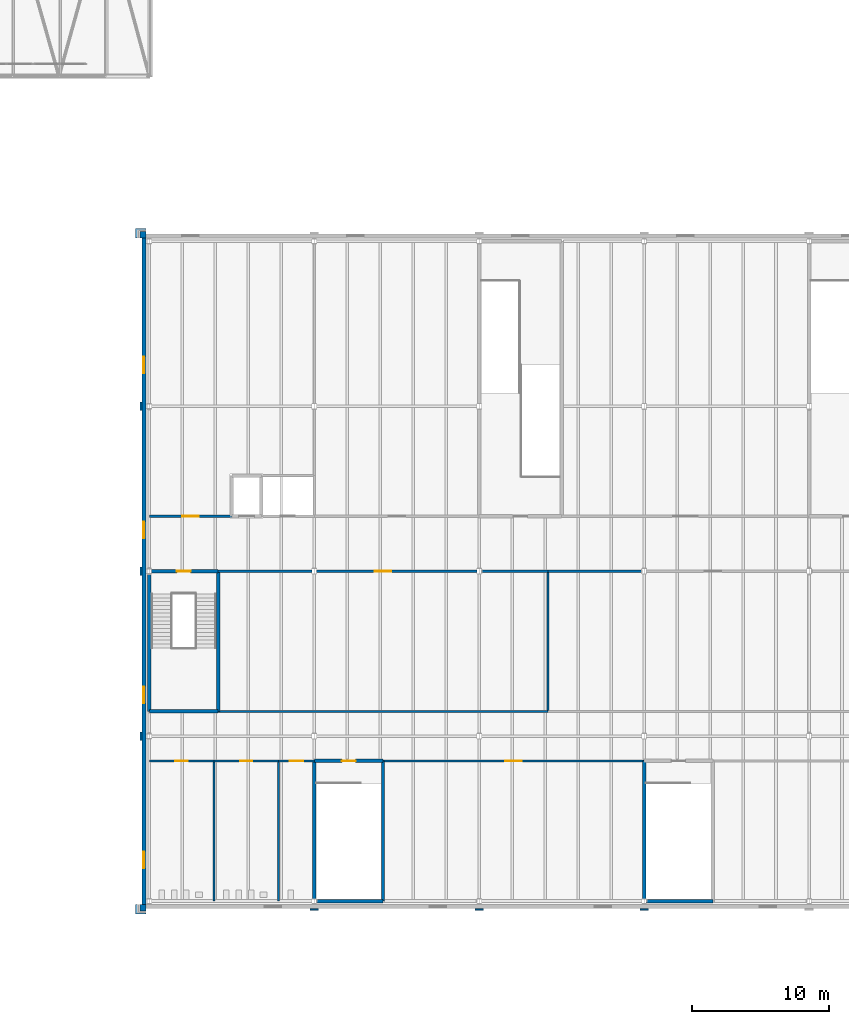
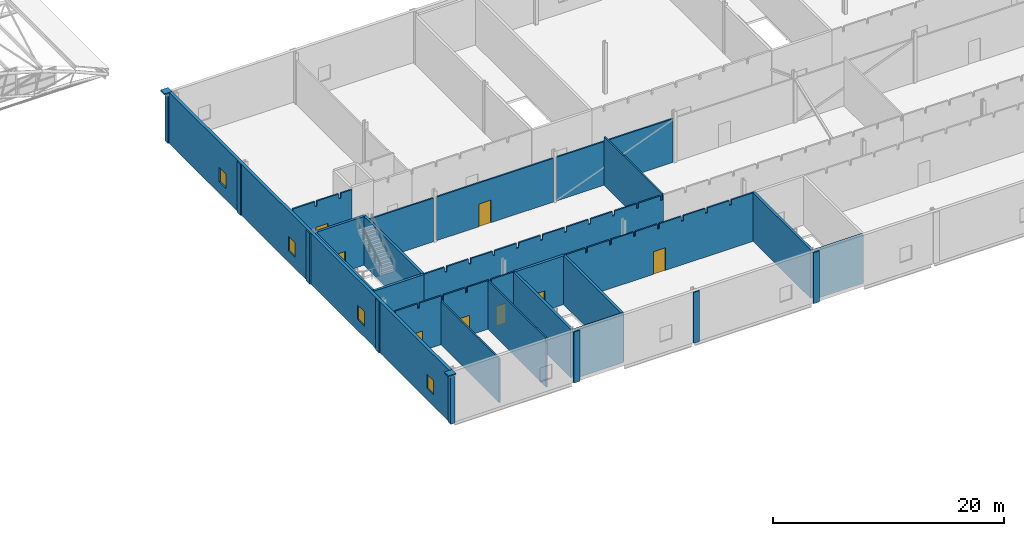
# One storey, part 256 of 321: 34 walls, 8 doors, 4 windows, 12 openings.
"""IFC4 building model written with IfcOpenShell, lengths in metres."""

import ifcopenshell
import ifcopenshell.guid

model = None  # the IFC model being written
_history = None  # IfcOwnerHistory: only IFC2X3 demands one
_inside = {}  # id of a spatial element -> (the spatial element, [elements in it])
_under = {}  # id of a project, library or spatial element -> (it, [spatial elements below it])
_declared = {}  # id of a project -> (the project, [libraries it declares])
_typed = {}  # id of a type object -> (the type object, [elements of that type])
_made_of = {}  # id of a material, layer set ... -> (it, [elements and type objects made of it])


def new_model(schema):
    """Start an empty IFC model of exactly this schema.

    Asked for "IFC4X3", IfcOpenShell would pick the latest addendum, in which some entities
    have other attributes; the version numbers below select the first issue.
    IFC2X3 requires an IfcOwnerHistory on every rooted entity: one is made here for all.
    """
    global model, _history
    if schema == "IFC4X3":
        model = ifcopenshell.file(schema_version=(4, 3, 0, 0))
    else:
        model = ifcopenshell.file(schema=schema)
    _inside.clear()
    _under.clear()
    _declared.clear()
    _typed.clear()
    _made_of.clear()
    _history = None
    if model.schema == "IFC2X3":
        org = make("IfcOrganization", Name="unknown")
        user = make(
            "IfcPersonAndOrganization",
            ThePerson=make("IfcPerson", FamilyName="unknown"),
            TheOrganization=org,
        )
        app = make(
            "IfcApplication",
            ApplicationDeveloper=org,
            Version="unknown",
            ApplicationFullName="unknown",
            ApplicationIdentifier="unknown",
        )
        _history = make(
            "IfcOwnerHistory",
            OwningUser=user,
            OwningApplication=app,
            ChangeAction="ADDED",
            CreationDate=0,
        )
    return model


def make(cls, **values):
    """One entity of the class cls with the attributes given. An attribute that is None is left unset."""
    return model.create_entity(
        cls, **{name: value for name, value in values.items() if value is not None}
    )


def rooted(cls, **values):
    """An entity with a GlobalId (a new one), such as an element, a storey or a relation."""
    return make(cls, GlobalId=ifcopenshell.guid.new(), OwnerHistory=_history, **values)


def si_unit(unit_type, name, prefix=None):
    """IfcSIUnit, for example si_unit("LENGTHUNIT", "METRE", prefix="MILLI")."""
    return make("IfcSIUnit", UnitType=unit_type, Prefix=prefix, Name=name)


def assignment(units):
    """IfcUnitAssignment: the units of a project."""
    return None if units is None else make("IfcUnitAssignment", Units=units)


def point(xyz):
    """IfcCartesianPoint."""
    return None if xyz is None else make("IfcCartesianPoint", Coordinates=xyz)


def direction(xyz):
    """IfcDirection."""
    return None if xyz is None else make("IfcDirection", DirectionRatios=xyz)


def frame(location, z_axis=None, x_axis=None):
    """IfcAxis2Placement3D, a coordinate frame: its origin and axes. An axis left out is left unset."""
    return make(
        "IfcAxis2Placement3D",
        Location=point(location),
        Axis=direction(z_axis),
        RefDirection=direction(x_axis),
    )


def frame_2d(location, x_axis=None):
    """IfcAxis2Placement2D, a coordinate frame in the plane: its origin and x axis."""
    return make(
        "IfcAxis2Placement2D", Location=point(location), RefDirection=direction(x_axis)
    )


def origin():
    """The frame at (0, 0, 0) with its axes left unset."""
    return frame((0.0, 0.0, 0.0))


def place(relative_to, where):
    """IfcLocalPlacement: puts the frame where relative to a parent placement (None: the world)."""
    return make(
        "IfcLocalPlacement", PlacementRelTo=relative_to, RelativePlacement=where
    )


def context(
    kind, dimensions, precision=None, world=None, true_north=None, identifier=None
):
    """IfcGeometricRepresentationContext, for example the 3D "Model" context."""
    return make(
        "IfcGeometricRepresentationContext",
        ContextIdentifier=identifier,
        ContextType=kind,
        CoordinateSpaceDimension=dimensions,
        Precision=precision,
        WorldCoordinateSystem=world,
        TrueNorth=true_north,
    )


def subcontext(parent, identifier, kind, view, scale=None):
    """IfcGeometricRepresentationSubContext, for example "Body" below "Model"."""
    return make(
        "IfcGeometricRepresentationSubContext",
        ContextIdentifier=identifier,
        ContextType=kind,
        ParentContext=parent,
        TargetScale=scale,
        TargetView=view,
    )


def project(units=None, contexts=None):
    """IfcProject with its units and contexts."""
    return rooted(
        "IfcProject",
        Name="project",
        RepresentationContexts=contexts,
        UnitsInContext=assignment(units),
    )


def spatial(cls, under=None, at=None, **own):
    """A site, building, storey or space (cls), placed at a placement, below another one or the project."""
    s = rooted(cls, ObjectPlacement=at, **own)
    if under is not None:
        _under.setdefault(under.id(), (under, []))[1].append(s)
    return s


def polyline(points):
    """IfcPolyline through the points."""
    return make("IfcPolyline", Points=[point(p) for p in points])


def profile(cls, at=None, kind="AREA", **sizes):
    """A parametric profile (cls). Its sizes go by their IFC names, for example OverallWidth=200.0."""
    return make(cls, ProfileType=kind, Position=at, **sizes)


def rectangle(**sizes):
    """IfcRectangleProfileDef."""
    return profile("IfcRectangleProfileDef", **sizes)


def outline(outer, holes=None, kind="AREA"):
    """IfcArbitraryClosedProfileDef: a profile drawn as a closed curve; with holes, ...WithVoids."""
    if holes is None:
        return make("IfcArbitraryClosedProfileDef", ProfileType=kind, OuterCurve=outer)
    return make(
        "IfcArbitraryProfileDefWithVoids",
        ProfileType=kind,
        OuterCurve=outer,
        InnerCurves=holes,
    )


def extrude(swept, where, along, depth):
    """IfcExtrudedAreaSolid: the profile swept, set in the frame where, extruded along a direction by depth."""
    return make(
        "IfcExtrudedAreaSolid",
        SweptArea=swept,
        Position=where,
        ExtrudedDirection=direction(along),
        Depth=depth,
    )


def shape(context_of_items, identifier, shape_type, items):
    """IfcShapeRepresentation: the items that make up one representation, for example the "Body"."""
    return make(
        "IfcShapeRepresentation",
        ContextOfItems=context_of_items,
        RepresentationIdentifier=identifier,
        RepresentationType=shape_type,
        Items=items,
    )


def material(Name=None, Category=None):
    """IfcMaterial."""
    return make("IfcMaterial", Name=Name, Category=Category)


def layer(
    of_material, thickness, ventilated=None, Name=None, Category=None, Priority=None
):
    """IfcMaterialLayer: one layer of a wall or slab, of a material (None: an air gap)."""
    return make(
        "IfcMaterialLayer",
        Material=of_material,
        LayerThickness=thickness,
        IsVentilated=ventilated,
        Name=Name,
        Category=Category,
        Priority=Priority,
    )


def layer_set(layers, Name=None):
    """IfcMaterialLayerSet."""
    return make("IfcMaterialLayerSet", MaterialLayers=layers, LayerSetName=Name)


def made_of(thing, what):
    """Note that an element or type object is made of a material, layer set ...; save() writes the relation."""
    if what is not None:
        _made_of.setdefault(what.id(), (what, []))[1].append(thing)
    return thing


def type_object(cls, material=None, **own):
    """A type object (cls), such as IfcWallType, which elements share."""
    return made_of(rooted(cls, **own), material)


def element(
    cls,
    number,
    at=None,
    inside=None,
    cuts=None,
    type_object=None,
    material=None,
    context=None,
    identifier="Body",
    shape_type=None,
    held_by="IfcProductDefinitionShape",
    body=None,
    shapes=None,
    **own,
):
    """One element of the class cls, such as IfcWall. Its Tag is "e" and its number.

    at: its placement. inside: the storey or other place that contains it. cuts: it is an
    opening in that element (IfcRelVoidsElement). A single representation is given by context,
    identifier, shape_type and body (its items); several are given by shapes. held_by: the class
    of the entity that holds the representations. save() writes the other relations.
    """
    e = rooted(cls, Tag="e%d" % number, ObjectPlacement=at, **own)
    if body is not None:
        shapes = [shape(context, identifier, shape_type, body)]
    if shapes is not None:
        e.Representation = make(held_by, Representations=shapes)
    if inside is not None:
        _inside.setdefault(inside.id(), (inside, []))[1].append(e)
    if cuts is not None:
        rooted(
            "IfcRelVoidsElement", RelatingBuildingElement=cuts, RelatedOpeningElement=e
        )
    if type_object is not None:
        _typed.setdefault(type_object.id(), (type_object, []))[1].append(e)
    return made_of(e, material)


def fill(opening, filler):
    """IfcRelFillsElement: the door or window that sits in an opening."""
    return rooted(
        "IfcRelFillsElement",
        RelatingOpeningElement=opening,
        RelatedBuildingElement=filler,
    )


def aggregate(whole, parts):
    """IfcRelAggregates: a whole, such as a stair, and the parts it consists of."""
    return rooted("IfcRelAggregates", RelatingObject=whole, RelatedObjects=parts)


def save(model, path):
    """Write the relations noted so far, then the file.

    IfcRelAggregates (storeys below a building ...), IfcRelContainedInSpatialStructure (elements
    in a storey), IfcRelDefinesByType, IfcRelAssociatesMaterial and IfcRelDeclares: one each for
    every whole, place, type object, material and project.
    """
    for whole, parts in _under.values():
        aggregate(whole, parts)
    for where, things in _inside.values():
        rooted(
            "IfcRelContainedInSpatialStructure",
            RelatedElements=things,
            RelatingStructure=where,
        )
    for kind, things in _typed.values():
        rooted("IfcRelDefinesByType", RelatedObjects=things, RelatingType=kind)
    for what, things in _made_of.values():
        rooted("IfcRelAssociatesMaterial", RelatedObjects=things, RelatingMaterial=what)
    for by, libraries in _declared.values():
        rooted("IfcRelDeclares", RelatingContext=by, RelatedDefinitions=libraries)
    model.write(path)


model = new_model("IFC4")

# Units and contexts
model_context = context("Model", 3, precision=1e-05, world=origin(), true_north=direction((0.0, 1.0)))
body_context = subcontext(model_context, "Body", "Model", "MODEL_VIEW")
ifc_project = project(units=[si_unit("LENGTHUNIT", "METRE"), si_unit("AREAUNIT", "SQUARE_METRE"), si_unit("VOLUMEUNIT", "CUBIC_METRE"), si_unit("PLANEANGLEUNIT", "RADIAN"), si_unit("MASSUNIT", "GRAM", prefix="KILO")], contexts=[model_context])

# Site, building, storey
site_placement = place(None, origin())
site = spatial("IfcSite", under=ifc_project, at=site_placement, CompositionType="ELEMENT")
building_placement = place(site_placement, origin())
building = spatial("IfcBuilding", under=site, at=building_placement, Name="Ravi Spectrum Wholesale Market", CompositionType="ELEMENT")
storey_placement = place(building_placement, frame((0.0, 0.0, 10.800048828125)))
storey = spatial("IfcBuildingStorey", under=building, at=storey_placement, Name="L02", CompositionType="ELEMENT", Elevation=10.800048828125)

# Wall, opening, door
ifc_material_1 = material(Name="Concrete blockwork", Category="masonry")
ifc_layer_1 = layer(ifc_material_1, 0.14990234375)
ifc_layer_set_1 = layer_set([ifc_layer_1], Name="Concrete blockwork")
wall_type_1 = type_object("IfcWallType", Name="Blockwork partition 150", PredefinedType="PARTITIONING", material=ifc_layer_set_1)
wall_1_placement = place(storey_placement, frame((198.0, 28.199951171875, 0.0), z_axis=(0.0, 0.0, 1.0), x_axis=(1.0, 0.0, 0.0)))
wall_1 = element("IfcWall", 1, at=wall_1_placement, inside=storey, type_object=wall_type_1, Name="CS-WL-L02-069", PredefinedType="PARTITIONING", context=body_context, shape_type="SweptSolid", body=[
    extrude(outline(polyline([(0.0, 0.0), (4.699951171875, 0.0), (4.699951171875, 5.14990234375), (2.5048828125, 5.14990234375), (2.5, 4.6298828125), (2.300048828125, 4.6298828125), (2.294921875, 5.14990234375), (0.10009765625, 5.14990234375), (0.094970703125, 4.679931640625), (0.0, 4.679931640625), (0.0, 0.0)])), frame((0.0, 0.074951171875, 0.0), z_axis=(0.0, -1.0, 0.0), x_axis=(1.0, 0.0, 0.0)), (0.0, 0.0, 1.0), 0.14990234375),
])
opening_1_placement = place(wall_1_placement, frame((1.89990234375, 0.0, 0.0)))
opening_1 = element("IfcOpeningElement", 2, at=opening_1_placement, cuts=wall_1, Name="Opening D529", PredefinedType="OPENING", context=body_context, shape_type="SweptSolid", body=[
    extrude(rectangle(XDim=0.89990234375, YDim=2.10009765625, at=frame_2d((0.449951171875, 1.050048828125))), frame((0.0, 0.0849609375, 0.0), z_axis=(0.0, -1.0, 0.0), x_axis=(1.0, 0.0, 0.0)), (0.0, 0.0, 1.0), 0.169921875),
])
ifc_material_2 = material(Name="Timber door", Category="wood")
door_type_1 = type_object("IfcDoorType", Name="Toilet door 900 x 2100", OperationType="SINGLE_SWING_LEFT", PredefinedType="DOOR", material=ifc_material_2)
door_1_placement = place(opening_1_placement, origin())
door_1 = element("IfcDoor", 3, at=door_1_placement, inside=storey, type_object=door_type_1, Name="Door D529", OperationType="SINGLE_SWING_LEFT", OverallHeight=2.10009765625, OverallWidth=0.89990234375, PredefinedType="DOOR", context=body_context, shape_type="SweptSolid", body=[
    extrude(rectangle(XDim=0.89990234375, YDim=2.10009765625, at=frame_2d((0.449951171875, 1.050048828125))), frame((0.0, 0.02490234375, 0.0), z_axis=(0.0, -1.0, 0.0), x_axis=(1.0, 0.0, 0.0)), (0.0, 0.0, 1.0), 0.050048828125),
])
fill(opening_1, door_1)

wall_2_placement = place(storey_placement, frame((202.699951171875, 28.199951171875, 0.0), z_axis=(0.0, 0.0, 1.0), x_axis=(1.0, 0.0, 0.0)))
wall_2 = element("IfcWall", 4, at=wall_2_placement, inside=storey, type_object=wall_type_1, Name="CS-WL-L02-070", PredefinedType="PARTITIONING", context=body_context, shape_type="SweptSolid", body=[
    extrude(outline(polyline([(0.0, 0.0), (4.699951171875, 0.0), (4.699951171875, 5.14990234375), (2.60498046875, 5.14990234375), (2.60009765625, 4.6298828125), (2.39990234375, 4.6298828125), (2.39501953125, 5.14990234375), (0.205078125, 5.14990234375), (0.199951171875, 4.6298828125), (0.0, 4.6298828125), (0.0, 0.0)])), frame((0.0, 0.074951171875, 0.0), z_axis=(0.0, -1.0, 0.0), x_axis=(1.0, 0.0, 0.0)), (0.0, 0.0, 1.0), 0.14990234375),
])
opening_2_placement = place(wall_2_placement, frame((1.89990234375, 0.0, 0.0)))
opening_2 = element("IfcOpeningElement", 5, at=opening_2_placement, cuts=wall_2, Name="Opening D530", PredefinedType="OPENING", context=body_context, shape_type="SweptSolid", body=[
    extrude(rectangle(XDim=0.89990234375, YDim=2.10009765625, at=frame_2d((0.449951171875, 1.050048828125))), frame((0.0, 0.0849609375, 0.0), z_axis=(0.0, -1.0, 0.0), x_axis=(1.0, 0.0, 0.0)), (0.0, 0.0, 1.0), 0.169921875),
])
door_2_placement = place(opening_2_placement, origin())
door_2 = element("IfcDoor", 6, at=door_2_placement, inside=storey, type_object=door_type_1, Name="Door D530", OperationType="SINGLE_SWING_RIGHT", OverallHeight=2.10009765625, OverallWidth=0.89990234375, PredefinedType="DOOR", context=body_context, shape_type="SweptSolid", body=[
    extrude(rectangle(XDim=0.89990234375, YDim=2.10009765625, at=frame_2d((0.449951171875, 1.050048828125))), frame((0.0, 0.02490234375, 0.0), z_axis=(0.0, -1.0, 0.0), x_axis=(1.0, 0.0, 0.0)), (0.0, 0.0, 1.0), 0.050048828125),
])
fill(opening_2, door_2)

wall_3_placement = place(storey_placement, frame((207.39990234375, 28.199951171875, 0.0), z_axis=(0.0, 0.0, 1.0), x_axis=(1.0, 0.0, 0.0)))
wall_3 = element("IfcWall", 7, at=wall_3_placement, inside=storey, type_object=wall_type_1, Name="CS-WL-L02-071", PredefinedType="PARTITIONING", context=body_context, shape_type="SweptSolid", body=[
    extrude(outline(polyline([(0.0, 0.0), (2.60009765625, 0.0), (2.60009765625, 5.14990234375), (0.304931640625, 5.14990234375), (0.300048828125, 4.6298828125), (0.10009765625, 4.6298828125), (0.094970703125, 5.14990234375), (0.0, 5.14990234375), (0.0, 0.0)])), frame((0.0, 0.074951171875, 0.0), z_axis=(0.0, -1.0, 0.0), x_axis=(1.0, 0.0, 0.0)), (0.0, 0.0, 1.0), 0.14990234375),
])
opening_3_placement = place(wall_3_placement, frame((0.800048828125, 0.0, 0.0)))
opening_3 = element("IfcOpeningElement", 8, at=opening_3_placement, cuts=wall_3, Name="Opening D531", PredefinedType="OPENING", context=body_context, shape_type="SweptSolid", body=[
    extrude(rectangle(XDim=1.0, YDim=2.10009765625, at=frame_2d((0.5, 1.050048828125))), frame((0.0, 0.0849609375, 0.0), z_axis=(0.0, -1.0, 0.0), x_axis=(1.0, 0.0, 0.0)), (0.0, 0.0, 1.0), 0.169921875),
])
ifc_material_3 = material(Name="Timber door", Category="wood")
door_type_2 = type_object("IfcDoorType", Name="Accessible toilet door 1000 x 2100", OperationType="SINGLE_SWING_LEFT", PredefinedType="DOOR", material=ifc_material_3)
door_3_placement = place(opening_3_placement, origin())
door_3 = element("IfcDoor", 9, at=door_3_placement, inside=storey, type_object=door_type_2, Name="Door D531", OperationType="SINGLE_SWING_RIGHT", OverallHeight=2.10009765625, OverallWidth=1.0, PredefinedType="DOOR", context=body_context, shape_type="SweptSolid", body=[
    extrude(rectangle(XDim=1.0, YDim=2.10009765625, at=frame_2d((0.5, 1.050048828125))), frame((0.0, 0.02490234375, 0.0), z_axis=(0.0, -1.0, 0.0), x_axis=(1.0, 0.0, 0.0)), (0.0, 0.0, 1.0), 0.050048828125),
])
fill(opening_3, door_3)

# Walls
wall_4_placement = place(storey_placement, frame((202.699951171875, 18.0, 0.0), z_axis=(0.0, 0.0, 1.0), x_axis=(0.0, 1.0, 0.0)))
element("IfcWall", 10, at=wall_4_placement, inside=storey, type_object=wall_type_1, Name="CS-WL-L02-096", PredefinedType="PARTITIONING", context=body_context, shape_type="SweptSolid", body=[
    extrude(rectangle(XDim=10.125, YDim=0.14990234375, at=frame_2d((5.0625, 0.0))), origin(), (0.0, 0.0, 1.0), 4.6298828125),
])
wall_5_placement = place(storey_placement, frame((207.39990234375, 18.0, 0.0), z_axis=(0.0, 0.0, 1.0), x_axis=(0.0, 1.0, 0.0)))
element("IfcWall", 11, at=wall_5_placement, inside=storey, type_object=wall_type_1, Name="CS-WL-L02-097", PredefinedType="PARTITIONING", context=body_context, shape_type="SweptSolid", body=[
    extrude(outline(polyline([(0.0, 0.0), (10.125, 0.0), (10.125, 5.14990234375), (0.10498046875, 5.14990234375), (0.10009765625, 4.6298828125), (0.0, 4.6298828125), (0.0, 0.0)])), frame((0.0, 0.074951171875, 0.0), z_axis=(0.0, -1.0, 0.0), x_axis=(1.0, 0.0, 0.0)), (0.0, 0.0, 1.0), 0.14990234375),
])
ifc_material_4 = material(Name="Clinker brickwork", Category="masonry")
ifc_layer_2 = layer(ifc_material_4, 0.695068359375)
ifc_layer_set_2 = layer_set([ifc_layer_2], Name="Clinker brickwork")
wall_type_2 = type_object("IfcWallType", Name="Brick corbel 695", PredefinedType="SOLIDWALL", material=ifc_layer_set_2)
for number, where, z_axis, x_axis, name in (
    (12, (197.75, 17.402587890625, 5.27001953125), (0.0, 0.0, 1.0), (-1.0, 0.0, 0.0), "CS-WL-L02-034"),
    (13, (197.75, 66.597412109375, 5.27001953125), (0.0, 0.0, 1.0), (-1.0, 0.0, 0.0), "CS-WL-L02-046"),
):
    element("IfcWall", number, at=place(storey_placement, frame(where, z_axis=z_axis, x_axis=x_axis)), inside=storey, type_object=wall_type_2, Name=name, PredefinedType="SOLIDWALL", context=body_context, shape_type="SweptSolid", body=[
        extrude(rectangle(XDim=0.760009765625, YDim=0.695068359375, at=frame_2d((0.3798828125, 0.0))), origin(), (0.0, 0.0, 1.0), 0.1298828125),
    ])

# Wall, openings, windows
ifc_material_5 = material(Name="Brick-faced insulated panel", Category="masonry")
ifc_layer_3 = layer(ifc_material_5, 0.300048828125)
ifc_layer_set_3 = layer_set([ifc_layer_3], Name="Brick-faced insulated panel")
wall_type_3 = type_object("IfcWallType", Name="Brick faced insulated panel 300", PredefinedType="SOLIDWALL", material=ifc_layer_set_3)
wall_6_placement = place(storey_placement, frame((197.60009765625, 66.25, 0.0), z_axis=(0.0, 0.0, 1.0), x_axis=(0.0, -1.0, 0.0)))
wall_6 = element("IfcWall", 14, at=wall_6_placement, inside=storey, type_object=wall_type_3, Name="CS-WL-L02-065", PredefinedType="SOLIDWALL", context=body_context, shape_type="SweptSolid", body=[
    extrude(rectangle(XDim=48.5, YDim=0.300048828125, at=frame_2d((24.25, 0.0))), origin(), (0.0, 0.0, 1.0), 5.39990234375),
])
opening_4_placement = place(wall_6_placement, frame((8.64990234375, 0.0, 1.199951171875)))
opening_4 = element("IfcOpeningElement", 15, at=opening_4_placement, cuts=wall_6, Name="Opening W2655", PredefinedType="OPENING", context=body_context, shape_type="SweptSolid", body=[
    extrude(rectangle(XDim=1.199951171875, YDim=1.5, at=frame_2d((0.60009765625, 0.75))), frame((0.0, 0.159912109375, 0.0), z_axis=(0.0, -1.0, 0.0), x_axis=(1.0, 0.0, 0.0)), (0.0, 0.0, 1.0), 0.320068359375),
])
opening_5_placement = place(wall_6_placement, frame((20.64990234375, 0.0, 1.199951171875)))
opening_5 = element("IfcOpeningElement", 16, at=opening_5_placement, cuts=wall_6, Name="Opening W2656", PredefinedType="OPENING", context=body_context, shape_type="SweptSolid", body=[
    extrude(rectangle(XDim=1.199951171875, YDim=1.5, at=frame_2d((0.60009765625, 0.75))), frame((0.0, 0.159912109375, 0.0), z_axis=(0.0, -1.0, 0.0), x_axis=(1.0, 0.0, 0.0)), (0.0, 0.0, 1.0), 0.320068359375),
])
opening_6_placement = place(wall_6_placement, frame((32.64990234375, 0.0, 1.199951171875)))
opening_6 = element("IfcOpeningElement", 17, at=opening_6_placement, cuts=wall_6, Name="Opening W2657", PredefinedType="OPENING", context=body_context, shape_type="SweptSolid", body=[
    extrude(rectangle(XDim=1.199951171875, YDim=1.5, at=frame_2d((0.60009765625, 0.75))), frame((0.0, 0.159912109375, 0.0), z_axis=(0.0, -1.0, 0.0), x_axis=(1.0, 0.0, 0.0)), (0.0, 0.0, 1.0), 0.320068359375),
])
opening_7_placement = place(wall_6_placement, frame((44.64990234375, 0.0, 1.199951171875)))
opening_7 = element("IfcOpeningElement", 18, at=opening_7_placement, cuts=wall_6, Name="Opening W2658", PredefinedType="OPENING", context=body_context, shape_type="SweptSolid", body=[
    extrude(rectangle(XDim=1.199951171875, YDim=1.5, at=frame_2d((0.60009765625, 0.75))), frame((0.0, 0.159912109375, 0.0), z_axis=(0.0, -1.0, 0.0), x_axis=(1.0, 0.0, 0.0)), (0.0, 0.0, 1.0), 0.320068359375),
])
ifc_material_6 = material(Name="Aluminium frame", Category="aluminium")
window_type = type_object("IfcWindowType", Name="Plant room louvred window 1200 x 1500", PartitioningType="SINGLE_PANEL", PredefinedType="WINDOW", material=ifc_material_6)
window_1_placement = place(opening_4_placement, origin())
window_1 = element("IfcWindow", 19, at=window_1_placement, inside=storey, type_object=window_type, Name="Window W2655", OverallHeight=1.5, OverallWidth=1.199951171875, PartitioningType="SINGLE_PANEL", PredefinedType="WINDOW", context=body_context, shape_type="SweptSolid", body=[
    extrude(rectangle(XDim=1.199951171875, YDim=1.5, at=frame_2d((0.60009765625, 0.75))), frame((0.0, 0.030029296875, 0.0), z_axis=(0.0, -1.0, 0.0), x_axis=(1.0, 0.0, 0.0)), (0.0, 0.0, 1.0), 0.06005859375),
])
fill(opening_4, window_1)
window_2_placement = place(opening_5_placement, origin())
window_2 = element("IfcWindow", 20, at=window_2_placement, inside=storey, type_object=window_type, Name="Window W2656", OverallHeight=1.5, OverallWidth=1.199951171875, PartitioningType="SINGLE_PANEL", PredefinedType="WINDOW", context=body_context, shape_type="SweptSolid", body=[
    extrude(rectangle(XDim=1.199951171875, YDim=1.5, at=frame_2d((0.60009765625, 0.75))), frame((0.0, 0.030029296875, 0.0), z_axis=(0.0, -1.0, 0.0), x_axis=(1.0, 0.0, 0.0)), (0.0, 0.0, 1.0), 0.06005859375),
])
fill(opening_5, window_2)
window_3_placement = place(opening_6_placement, origin())
window_3 = element("IfcWindow", 21, at=window_3_placement, inside=storey, type_object=window_type, Name="Window W2657", OverallHeight=1.5, OverallWidth=1.199951171875, PartitioningType="SINGLE_PANEL", PredefinedType="WINDOW", context=body_context, shape_type="SweptSolid", body=[
    extrude(rectangle(XDim=1.199951171875, YDim=1.5, at=frame_2d((0.60009765625, 0.75))), frame((0.0, 0.030029296875, 0.0), z_axis=(0.0, -1.0, 0.0), x_axis=(1.0, 0.0, 0.0)), (0.0, 0.0, 1.0), 0.06005859375),
])
fill(opening_6, window_3)
window_4_placement = place(opening_7_placement, origin())
window_4 = element("IfcWindow", 22, at=window_4_placement, inside=storey, type_object=window_type, Name="Window W2658", OverallHeight=1.5, OverallWidth=1.199951171875, PartitioningType="SINGLE_PANEL", PredefinedType="WINDOW", context=body_context, shape_type="SweptSolid", body=[
    extrude(rectangle(XDim=1.199951171875, YDim=1.5, at=frame_2d((0.60009765625, 0.75))), frame((0.0, 0.030029296875, 0.0), z_axis=(0.0, -1.0, 0.0), x_axis=(1.0, 0.0, 0.0)), (0.0, 0.0, 1.0), 0.06005859375),
])
fill(opening_7, window_4)

# Walls
ifc_material_7 = material(Name="Clinker brickwork", Category="masonry")
ifc_layer_4 = layer(ifc_material_7, 0.485107421875)
ifc_layer_set_4 = layer_set([ifc_layer_4], Name="Clinker brickwork")
wall_type_4 = type_object("IfcWallType", Name="Brick pier 485", PredefinedType="SOLIDWALL", material=ifc_layer_set_4)
for number, where, z_axis, x_axis, name in (
    (23, (197.75, 17.507568359375, 0.0), (0.0, 0.0, 1.0), (-1.0, 0.0, 0.0), "CS-WL-L02-031"),
    (24, (197.75, 66.492431640625, 0.0), (0.0, 0.0, 1.0), (-1.0, 0.0, 0.0), "CS-WL-L02-043"),
):
    element("IfcWall", number, at=place(storey_placement, frame(where, z_axis=z_axis, x_axis=x_axis)), inside=storey, type_object=wall_type_4, Name=name, PredefinedType="SOLIDWALL", context=body_context, shape_type="SweptSolid", body=[
        extrude(rectangle(XDim=0.4150390625, YDim=0.485107421875, at=frame_2d((0.20751953125, 0.0))), origin(), (0.0, 0.0, 1.0), 5.010009765625),
    ])
ifc_material_8 = material(Name="Facing brickwork", Category="masonry")
ifc_layer_5 = layer(ifc_material_8, 0.114990234375)
ifc_layer_set_5 = layer_set([ifc_layer_5], Name="Facing brickwork")
wall_type_5 = type_object("IfcWallType", Name="Brick pilaster 115", PredefinedType="SOLIDWALL", material=ifc_layer_set_5)
for number, where, z_axis, x_axis, name in (
    (25, (209.699951171875, 17.392578125, 0.0), (0.0, 0.0, 1.0), (1.0, 0.0, 0.0), "CS-WL-L02-048"),
    (26, (221.699951171875, 17.392578125, 0.0), (0.0, 0.0, 1.0), (1.0, 0.0, 0.0), "CS-WL-L02-049"),
    (27, (233.699951171875, 17.392578125, 0.0), (0.0, 0.0, 1.0), (1.0, 0.0, 0.0), "CS-WL-L02-050"),
    (28, (197.392578125, 54.300048828125, 0.0), (0.0, 0.0, 1.0), (0.0, -1.0, 0.0), "CS-WL-L02-066"),
    (29, (197.392578125, 42.300048828125, 0.0), (0.0, 0.0, 1.0), (0.0, -1.0, 0.0), "CS-WL-L02-067"),
    (30, (197.392578125, 30.300048828125, 0.0), (0.0, 0.0, 1.0), (0.0, -1.0, 0.0), "CS-WL-L02-068"),
):
    element("IfcWall", number, at=place(storey_placement, frame(where, z_axis=z_axis, x_axis=x_axis)), inside=storey, type_object=wall_type_5, Name=name, PredefinedType="SOLIDWALL", context=body_context, shape_type="SweptSolid", body=[
        extrude(rectangle(XDim=0.60009765625, YDim=0.114990234375, at=frame_2d((0.300048828125, 0.0))), origin(), (0.0, 0.0, 1.0), 5.39990234375),
    ])

# Wall, opening, door
ifc_material_9 = material(Name="Insulated panel")
ifc_layer_6 = layer(ifc_material_9, 0.14990234375)
ifc_layer_set_6 = layer_set([ifc_layer_6], Name="Insulated panel")
wall_type_6 = type_object("IfcWallType", Name="Cold store panel 150", PredefinedType="PARTITIONING", material=ifc_layer_set_6)
wall_7_placement = place(storey_placement, frame((215.0, 28.199951171875, 0.0), z_axis=(0.0, 0.0, 1.0), x_axis=(1.0, 0.0, 0.0)))
wall_7 = element("IfcWall", 31, at=wall_7_placement, inside=storey, type_object=wall_type_6, Name="CS-WL-L02-072", PredefinedType="PARTITIONING", context=body_context, shape_type="SweptSolid", body=[
    extrude(outline(polyline([(0.0, 0.0), (19.0, 0.0), (19.0, 5.14990234375), (16.705078125, 5.14990234375), (16.699951171875, 4.6298828125), (16.5, 4.6298828125), (16.4951171875, 5.14990234375), (14.304931640625, 5.14990234375), (14.300048828125, 4.6298828125), (14.10009765625, 4.6298828125), (14.094970703125, 5.14990234375), (11.905029296875, 5.14990234375), (11.89990234375, 4.6298828125), (11.699951171875, 4.6298828125), (11.695068359375, 5.14990234375), (9.5048828125, 5.14990234375), (9.5, 4.6298828125), (9.300048828125, 4.6298828125), (9.294921875, 5.14990234375), (7.10009765625, 5.14990234375), (7.094970703125, 4.679931640625), (6.905029296875, 4.679931640625), (6.89990234375, 5.14990234375), (4.705078125, 5.14990234375), (4.699951171875, 4.6298828125), (4.5, 4.6298828125), (4.4951171875, 5.14990234375), (2.304931640625, 5.14990234375), (2.300048828125, 4.6298828125), (2.10009765625, 4.6298828125), (2.094970703125, 5.14990234375), (0.0, 5.14990234375), (0.0, 0.0)])), frame((0.0, 0.074951171875, 0.0), z_axis=(0.0, -1.0, 0.0), x_axis=(1.0, 0.0, 0.0)), (0.0, 0.0, 1.0), 0.14990234375),
])
opening_8_placement = place(wall_7_placement, frame((8.89990234375, 0.0, 0.0)))
opening_8 = element("IfcOpeningElement", 32, at=opening_8_placement, cuts=wall_7, Name="Opening D532", PredefinedType="OPENING", context=body_context, shape_type="SweptSolid", body=[
    extrude(rectangle(XDim=1.199951171875, YDim=2.39990234375, at=frame_2d((0.60009765625, 1.199951171875))), frame((0.0, 0.0849609375, 0.0), z_axis=(0.0, -1.0, 0.0), x_axis=(1.0, 0.0, 0.0)), (0.0, 0.0, 1.0), 0.169921875),
])
ifc_material_10 = material(Name="Insulated panel door")
door_type_3 = type_object("IfcDoorType", Name="Cold store insulated door 1200 x 2400", OperationType="SINGLE_SWING_LEFT", PredefinedType="DOOR", material=ifc_material_10)
door_4_placement = place(opening_8_placement, origin())
door_4 = element("IfcDoor", 33, at=door_4_placement, inside=storey, type_object=door_type_3, Name="Door D532", OperationType="SINGLE_SWING_LEFT", OverallHeight=2.39990234375, OverallWidth=1.199951171875, PredefinedType="DOOR", context=body_context, shape_type="SweptSolid", body=[
    extrude(rectangle(XDim=1.199951171875, YDim=2.39990234375, at=frame_2d((0.60009765625, 1.199951171875))), frame((0.0, 0.02490234375, 0.0), z_axis=(0.0, -1.0, 0.0), x_axis=(1.0, 0.0, 0.0)), (0.0, 0.0, 1.0), 0.050048828125),
])
fill(opening_8, door_4)

# Walls
wall_8_placement = place(storey_placement, frame((203.0, 31.800048828125, 0.0), z_axis=(0.0, 0.0, 1.0), x_axis=(1.0, 0.0, 0.0)))
element("IfcWall", 34, at=wall_8_placement, inside=storey, type_object=wall_type_6, Name="CS-WL-L02-075", PredefinedType="PARTITIONING", context=body_context, shape_type="SweptSolid", body=[
    extrude(outline(polyline([(0.0, 0.0), (24.0, 0.0), (24.0, 5.14990234375), (23.905029296875, 5.14990234375), (23.89990234375, 4.6298828125), (23.699951171875, 4.6298828125), (23.695068359375, 5.14990234375), (21.5048828125, 5.14990234375), (21.5, 4.6298828125), (21.300048828125, 4.6298828125), (21.294921875, 5.14990234375), (19.10009765625, 5.14990234375), (19.094970703125, 4.679931640625), (18.905029296875, 4.679931640625), (18.89990234375, 5.14990234375), (16.705078125, 5.14990234375), (16.699951171875, 4.6298828125), (16.5, 4.6298828125), (16.4951171875, 5.14990234375), (14.304931640625, 5.14990234375), (14.300048828125, 4.6298828125), (14.10009765625, 4.6298828125), (14.094970703125, 5.14990234375), (11.905029296875, 5.14990234375), (11.89990234375, 4.6298828125), (11.699951171875, 4.6298828125), (11.695068359375, 5.14990234375), (9.5048828125, 5.14990234375), (9.5, 4.6298828125), (9.300048828125, 4.6298828125), (9.294921875, 5.14990234375), (7.10009765625, 5.14990234375), (7.094970703125, 4.679931640625), (6.905029296875, 4.679931640625), (6.89990234375, 5.14990234375), (4.705078125, 5.14990234375), (4.699951171875, 4.6298828125), (4.5, 4.6298828125), (4.4951171875, 5.14990234375), (2.304931640625, 5.14990234375), (2.300048828125, 4.6298828125), (2.10009765625, 4.6298828125), (2.094970703125, 5.14990234375), (0.0, 5.14990234375), (0.0, 0.0)])), frame((0.0, 0.074951171875, 0.0), z_axis=(0.0, -1.0, 0.0), x_axis=(1.0, 0.0, 0.0)), (0.0, 0.0, 1.0), 0.14990234375),
])
wall_9_placement = place(storey_placement, frame((203.0, 42.0, 0.0), z_axis=(0.0, 0.0, 1.0), x_axis=(1.0, 0.0, 0.0)))
element("IfcWall", 35, at=wall_9_placement, inside=storey, type_object=wall_type_6, Name="CS-WL-L02-078", PredefinedType="PARTITIONING", context=body_context, shape_type="SweptSolid", body=[
    extrude(rectangle(XDim=6.85009765625, YDim=0.14990234375, at=frame_2d((3.425048828125, 0.0))), origin(), (0.0, 0.0, 1.0), 4.6298828125),
])

# Wall, opening, door
wall_10_placement = place(storey_placement, frame((210.14990234375, 42.0, 0.0), z_axis=(0.0, 0.0, 1.0), x_axis=(1.0, 0.0, 0.0)))
wall_10 = element("IfcWall", 36, at=wall_10_placement, inside=storey, type_object=wall_type_6, Name="CS-WL-L02-079", PredefinedType="PARTITIONING", context=body_context, shape_type="SweptSolid", body=[
    extrude(rectangle(XDim=11.7001953125, YDim=0.14990234375, at=frame_2d((5.85009765625, 0.0))), origin(), (0.0, 0.0, 1.0), 4.6298828125),
])
opening_9_placement = place(wall_10_placement, frame((4.25, 0.0, 0.0)))
opening_9 = element("IfcOpeningElement", 37, at=opening_9_placement, cuts=wall_10, Name="Opening D535", PredefinedType="OPENING", context=body_context, shape_type="SweptSolid", body=[
    extrude(rectangle(XDim=1.199951171875, YDim=2.39990234375, at=frame_2d((0.60009765625, 1.199951171875))), frame((0.0, 0.0849609375, 0.0), z_axis=(0.0, -1.0, 0.0), x_axis=(1.0, 0.0, 0.0)), (0.0, 0.0, 1.0), 0.169921875),
])
door_5_placement = place(opening_9_placement, origin())
door_5 = element("IfcDoor", 38, at=door_5_placement, inside=storey, type_object=door_type_3, Name="Door D535", OperationType="SINGLE_SWING_RIGHT", OverallHeight=2.39990234375, OverallWidth=1.199951171875, PredefinedType="DOOR", context=body_context, shape_type="SweptSolid", body=[
    extrude(rectangle(XDim=1.199951171875, YDim=2.39990234375, at=frame_2d((0.60009765625, 1.199951171875))), frame((0.0, 0.02490234375, 0.0), z_axis=(0.0, -1.0, 0.0), x_axis=(1.0, 0.0, 0.0)), (0.0, 0.0, 1.0), 0.050048828125),
])
fill(opening_9, door_5)

# Walls
wall_11_placement = place(storey_placement, frame((222.14990234375, 42.0, 0.0), z_axis=(0.0, 0.0, 1.0), x_axis=(1.0, 0.0, 0.0)))
element("IfcWall", 39, at=wall_11_placement, inside=storey, type_object=wall_type_6, Name="CS-WL-L02-080", PredefinedType="PARTITIONING", context=body_context, shape_type="SweptSolid", body=[
    extrude(rectangle(XDim=4.85009765625, YDim=0.14990234375, at=frame_2d((2.425048828125, 0.0))), origin(), (0.0, 0.0, 1.0), 4.6298828125),
])
wall_12_placement = place(storey_placement, frame((227.0, 42.0, 0.0), z_axis=(0.0, 0.0, 1.0), x_axis=(1.0, 0.0, 0.0)))
element("IfcWall", 40, at=wall_12_placement, inside=storey, type_object=wall_type_6, Name="CS-WL-L02-081", PredefinedType="PARTITIONING", context=body_context, shape_type="SweptSolid", body=[
    extrude(rectangle(XDim=6.85009765625, YDim=0.14990234375, at=frame_2d((3.425048828125, 0.0))), origin(), (0.0, 0.0, 1.0), 4.6298828125),
])

# Wall, opening, door
wall_13_placement = place(storey_placement, frame((198.0, 46.0, 0.0), z_axis=(0.0, 0.0, 1.0), x_axis=(1.0, 0.0, 0.0)))
wall_13 = element("IfcWall", 41, at=wall_13_placement, inside=storey, type_object=wall_type_6, Name="CS-WL-L02-087", PredefinedType="PARTITIONING", context=body_context, shape_type="SweptSolid", body=[
    extrude(outline(polyline([(0.0, 0.0), (6.0, 0.0), (6.0, 5.14990234375), (4.905029296875, 5.14990234375), (4.89990234375, 4.6298828125), (4.699951171875, 4.6298828125), (4.695068359375, 5.14990234375), (2.5048828125, 5.14990234375), (2.5, 4.6298828125), (2.300048828125, 4.6298828125), (2.294921875, 5.14990234375), (0.10009765625, 5.14990234375), (0.094970703125, 4.679931640625), (0.0, 4.679931640625), (0.0, 0.0)])), frame((0.0, 0.074951171875, 0.0), z_axis=(0.0, -1.0, 0.0), x_axis=(1.0, 0.0, 0.0)), (0.0, 0.0, 1.0), 0.14990234375),
])
opening_10_placement = place(wall_13_placement, frame((2.39990234375, 0.0, 0.0)))
opening_10 = element("IfcOpeningElement", 42, at=opening_10_placement, cuts=wall_13, Name="Opening D538", PredefinedType="OPENING", context=body_context, shape_type="SweptSolid", body=[
    extrude(rectangle(XDim=1.199951171875, YDim=2.39990234375, at=frame_2d((0.60009765625, 1.199951171875))), frame((0.0, 0.0849609375, 0.0), z_axis=(0.0, -1.0, 0.0), x_axis=(1.0, 0.0, 0.0)), (0.0, 0.0, 1.0), 0.169921875),
])
door_6_placement = place(opening_10_placement, origin())
door_6 = element("IfcDoor", 43, at=door_6_placement, inside=storey, type_object=door_type_3, Name="Door D538", OperationType="SINGLE_SWING_RIGHT", OverallHeight=2.39990234375, OverallWidth=1.199951171875, PredefinedType="DOOR", context=body_context, shape_type="SweptSolid", body=[
    extrude(rectangle(XDim=1.199951171875, YDim=2.39990234375, at=frame_2d((0.60009765625, 1.199951171875))), frame((0.0, 0.02490234375, 0.0), z_axis=(0.0, -1.0, 0.0), x_axis=(1.0, 0.0, 0.0)), (0.0, 0.0, 1.0), 0.050048828125),
])
fill(opening_10, door_6)

# Walls
wall_14_placement = place(storey_placement, frame((227.0, 31.875, 0.0), z_axis=(0.0, 0.0, 1.0), x_axis=(0.0, 1.0, 0.0)))
element("IfcWall", 44, at=wall_14_placement, inside=storey, type_object=wall_type_6, Name="CS-WL-L02-101", PredefinedType="PARTITIONING", context=body_context, shape_type="SweptSolid", body=[
    extrude(outline(polyline([(0.0, 0.0), (10.050048828125, 0.0), (10.050048828125, 4.6298828125), (10.02490234375, 4.6298828125), (10.02001953125, 5.14990234375), (0.0, 5.14990234375), (0.0, 0.0)])), frame((0.0, 0.074951171875, 0.0), z_axis=(0.0, -1.0, 0.0), x_axis=(1.0, 0.0, 0.0)), (0.0, 0.0, 1.0), 0.14990234375),
])
ifc_material_11 = material(Name="Concrete C35/45", Category="concrete")
ifc_layer_7 = layer(ifc_material_11, 0.25)
ifc_layer_set_7 = layer_set([ifc_layer_7], Name="Concrete C35/45")
wall_type_7 = type_object("IfcWallType", Name="Concrete core wall 250", PredefinedType="SHEAR", material=ifc_layer_set_7)
wall_15_placement = place(storey_placement, frame((198.0, 31.800048828125, 0.0), z_axis=(0.0, 0.0, 1.0), x_axis=(1.0, 0.0, 0.0)))
element("IfcWall", 45, at=wall_15_placement, inside=storey, type_object=wall_type_7, Name="Stair core wall Stair S-CS-1", PredefinedType="SHEAR", context=body_context, shape_type="SweptSolid", body=[
    extrude(rectangle(XDim=5.0, YDim=0.25, at=frame_2d((2.5, 0.0))), origin(), (0.0, 0.0, 1.0), 5.14990234375),
])
wall_16_placement = place(storey_placement, frame((203.0, 31.800048828125, 0.0), z_axis=(0.0, 0.0, 1.0), x_axis=(0.0, 1.0, 0.0)))
element("IfcWall", 46, at=wall_16_placement, inside=storey, type_object=wall_type_7, Name="Stair core wall Stair S-CS-1", PredefinedType="SHEAR", context=body_context, shape_type="SweptSolid", body=[
    extrude(rectangle(XDim=10.199951171875, YDim=0.25, at=frame_2d((5.10009765625, 0.0))), origin(), (0.0, 0.0, 1.0), 5.14990234375),
])

# Wall, opening, door
wall_17_placement = place(storey_placement, frame((198.14990234375, 42.0, 0.0), z_axis=(0.0, 0.0, 1.0), x_axis=(1.0, 0.0, 0.0)))
wall_17 = element("IfcWall", 47, at=wall_17_placement, inside=storey, type_object=wall_type_7, Name="Stair core wall Stair S-CS-1", PredefinedType="SHEAR", context=body_context, shape_type="SweptSolid", body=[
    extrude(rectangle(XDim=4.85009765625, YDim=0.25, at=frame_2d((2.425048828125, 0.0))), origin(), (0.0, 0.0, 1.0), 5.14990234375),
])
opening_11_placement = place(wall_17_placement, frame((1.85009765625, 0.0, 0.0)))
opening_11 = element("IfcOpeningElement", 48, at=opening_11_placement, cuts=wall_17, Name="Opening D520", PredefinedType="OPENING", context=body_context, shape_type="SweptSolid", body=[
    extrude(rectangle(XDim=1.0, YDim=2.10009765625, at=frame_2d((0.5, 1.050048828125))), frame((0.0, 0.135009765625, 0.0), z_axis=(0.0, -1.0, 0.0), x_axis=(1.0, 0.0, 0.0)), (0.0, 0.0, 1.0), 0.27001953125),
])
ifc_material_12 = material(Name="Steel door", Category="steel")
door_type_4 = type_object("IfcDoorType", Name="Stair door 1000 x 2100", OperationType="SINGLE_SWING_LEFT", PredefinedType="DOOR", material=ifc_material_12)
door_7_placement = place(opening_11_placement, origin())
door_7 = element("IfcDoor", 49, at=door_7_placement, inside=storey, type_object=door_type_4, Name="Door D520", OperationType="SINGLE_SWING_RIGHT", OverallHeight=2.10009765625, OverallWidth=1.0, PredefinedType="DOOR", context=body_context, shape_type="SweptSolid", body=[
    extrude(rectangle(XDim=1.0, YDim=2.10009765625, at=frame_2d((0.5, 1.050048828125))), frame((0.0, 0.02490234375, 0.0), z_axis=(0.0, -1.0, 0.0), x_axis=(1.0, 0.0, 0.0)), (0.0, 0.0, 1.0), 0.050048828125),
])
fill(opening_11, door_7)

# Walls
wall_18_placement = place(storey_placement, frame((198.0, 31.800048828125, 0.0), z_axis=(0.0, 0.0, 1.0), x_axis=(0.0, 1.0, 0.0)))
element("IfcWall", 50, at=wall_18_placement, inside=storey, type_object=wall_type_7, Name="Stair core wall Stair S-CS-1", PredefinedType="SHEAR", context=body_context, shape_type="SweptSolid", body=[
    extrude(rectangle(XDim=10.030029296875, YDim=0.25, at=frame_2d((5.01513671875, 0.0))), origin(), (0.0, 0.0, 1.0), 5.14990234375),
])
wall_19_placement = place(storey_placement, frame((234.14990234375, 18.0, 0.0), z_axis=(0.0, 0.0, 1.0), x_axis=(1.0, 0.0, 0.0)))
element("IfcWall", 51, at=wall_19_placement, inside=storey, type_object=wall_type_7, Name="Stair core wall Stair S-CS-4", PredefinedType="SHEAR", context=body_context, shape_type="SweptSolid", body=[
    extrude(rectangle(XDim=4.85009765625, YDim=0.25, at=frame_2d((2.425048828125, 0.0))), origin(), (0.0, 0.0, 1.0), 5.14990234375),
])
wall_20_placement = place(storey_placement, frame((234.0, 18.169921875, 0.0), z_axis=(0.0, 0.0, 1.0), x_axis=(0.0, 1.0, 0.0)))
element("IfcWall", 52, at=wall_20_placement, inside=storey, type_object=wall_type_7, Name="Stair core wall Stair S-CS-4", PredefinedType="SHEAR", context=body_context, shape_type="SweptSolid", body=[
    extrude(rectangle(XDim=10.030029296875, YDim=0.25, at=frame_2d((5.01513671875, 0.0))), origin(), (0.0, 0.0, 1.0), 5.14990234375),
])
wall_21_placement = place(storey_placement, frame((210.14990234375, 18.0, 0.0), z_axis=(0.0, 0.0, 1.0), x_axis=(1.0, 0.0, 0.0)))
element("IfcWall", 53, at=wall_21_placement, inside=storey, type_object=wall_type_7, Name="Stair core wall Stair S-CS-6", PredefinedType="SHEAR", context=body_context, shape_type="SweptSolid", body=[
    extrude(rectangle(XDim=4.85009765625, YDim=0.25, at=frame_2d((2.425048828125, 0.0))), origin(), (0.0, 0.0, 1.0), 5.14990234375),
])
wall_22_placement = place(storey_placement, frame((215.0, 18.0, 0.0), z_axis=(0.0, 0.0, 1.0), x_axis=(0.0, 1.0, 0.0)))
element("IfcWall", 54, at=wall_22_placement, inside=storey, type_object=wall_type_7, Name="Stair core wall Stair S-CS-6", PredefinedType="SHEAR", context=body_context, shape_type="SweptSolid", body=[
    extrude(rectangle(XDim=10.199951171875, YDim=0.25, at=frame_2d((5.10009765625, 0.0))), origin(), (0.0, 0.0, 1.0), 5.14990234375),
])

# Wall, opening, door
wall_23_placement = place(storey_placement, frame((210.0, 28.199951171875, 0.0), z_axis=(0.0, 0.0, 1.0), x_axis=(1.0, 0.0, 0.0)))
wall_23 = element("IfcWall", 55, at=wall_23_placement, inside=storey, type_object=wall_type_7, Name="Stair core wall Stair S-CS-6", PredefinedType="SHEAR", context=body_context, shape_type="SweptSolid", body=[
    extrude(rectangle(XDim=5.0, YDim=0.25, at=frame_2d((2.5, 0.0))), origin(), (0.0, 0.0, 1.0), 5.14990234375),
])
opening_12_placement = place(wall_23_placement, frame((2.0, 0.0, 0.0)))
opening_12 = element("IfcOpeningElement", 56, at=opening_12_placement, cuts=wall_23, Name="Opening D525", PredefinedType="OPENING", context=body_context, shape_type="SweptSolid", body=[
    extrude(rectangle(XDim=1.0, YDim=2.10009765625, at=frame_2d((0.5, 1.050048828125))), frame((0.0, 0.135009765625, 0.0), z_axis=(0.0, -1.0, 0.0), x_axis=(1.0, 0.0, 0.0)), (0.0, 0.0, 1.0), 0.27001953125),
])
door_8_placement = place(opening_12_placement, origin())
door_8 = element("IfcDoor", 57, at=door_8_placement, inside=storey, type_object=door_type_4, Name="Door D525", OperationType="SINGLE_SWING_RIGHT", OverallHeight=2.10009765625, OverallWidth=1.0, PredefinedType="DOOR", context=body_context, shape_type="SweptSolid", body=[
    extrude(rectangle(XDim=1.0, YDim=2.10009765625, at=frame_2d((0.5, 1.050048828125))), frame((0.0, 0.02490234375, 0.0), z_axis=(0.0, -1.0, 0.0), x_axis=(1.0, 0.0, 0.0)), (0.0, 0.0, 1.0), 0.050048828125),
])
fill(opening_12, door_8)

# Wall
wall_24_placement = place(storey_placement, frame((210.0, 18.169921875, 0.0), z_axis=(0.0, 0.0, 1.0), x_axis=(0.0, 1.0, 0.0)))
element("IfcWall", 58, at=wall_24_placement, inside=storey, type_object=wall_type_7, Name="Stair core wall Stair S-CS-6", PredefinedType="SHEAR", context=body_context, shape_type="SweptSolid", body=[
    extrude(rectangle(XDim=10.030029296875, YDim=0.25, at=frame_2d((5.01513671875, 0.0))), origin(), (0.0, 0.0, 1.0), 5.14990234375),
])

save(model, "model.ifc")
